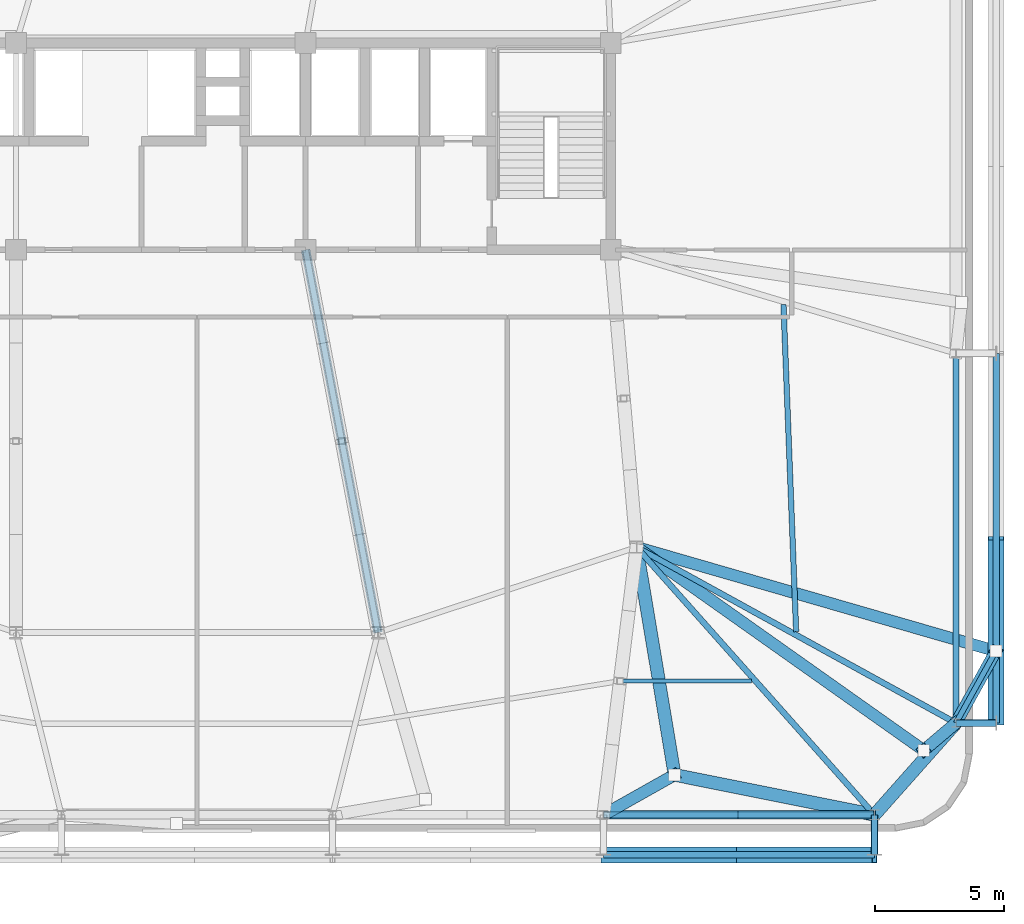
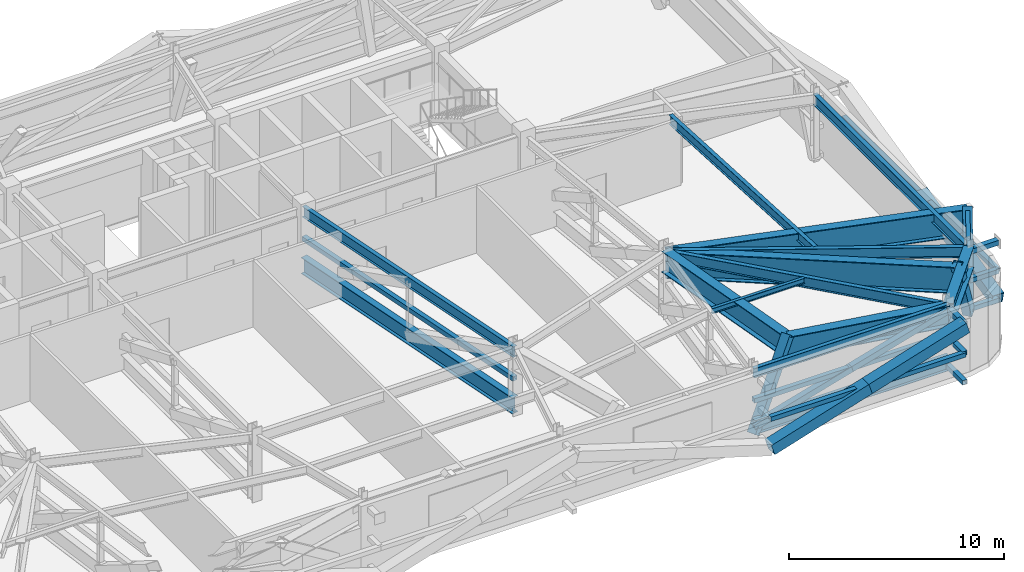
# One storey, part 9 of 24: 20 members, 13 beams.
"""IFC4 building model written with IfcOpenShell, lengths in metres."""

from ifc_helpers import new_model, si_unit, direction, frame, origin, origin_2d, place, context, subcontext, project, spatial, hollow_rectangle, i_section, extrude, source, transform, mapped, material, material_profile, profile_set, type_object, element, save


model = new_model("IFC4")

# Units and contexts
model_context = context("Model", 3, precision=1e-05, world=origin(), true_north=direction((0.0, 1.0)))
body_context = subcontext(model_context, "Body", "Model", "MODEL_VIEW")
ifc_project = project(units=[si_unit("LENGTHUNIT", "METRE"), si_unit("AREAUNIT", "SQUARE_METRE"), si_unit("VOLUMEUNIT", "CUBIC_METRE"), si_unit("PLANEANGLEUNIT", "RADIAN"), si_unit("MASSUNIT", "GRAM", prefix="KILO")], contexts=[model_context])

# Site, building, storey
site_placement = place(None, origin())
site = spatial("IfcSite", under=ifc_project, at=site_placement, CompositionType="ELEMENT")
building_placement = place(site_placement, origin())
building = spatial("IfcBuilding", under=site, at=building_placement, Name="Taldren Reach Tower", CompositionType="ELEMENT")
storey_placement = place(building_placement, frame((0.0, 0.0, 60.89990234375)))
storey = spatial("IfcBuildingStorey", under=building, at=storey_placement, Name="L18", CompositionType="ELEMENT", Elevation=60.89990234375)

# Beams
ifc_material_1 = material(Name="Steel Gr 350 (350PLUS)", Category="steel")
ifc_material_profile_1 = material_profile(ifc_material_1, i_section(OverallWidth=0.22802734375, OverallDepth=0.60205078125, WebThickness=0.010498046875, FlangeThickness=0.014892578125, at=origin_2d()), Name="610UB101")
ifc_profile_set_1 = profile_set([ifc_material_profile_1], Name="Steel Gr 350 (350PLUS)")
beam_type_1 = type_object("IfcBeamType", Name="BM-UB610B", PredefinedType="BEAM", material=ifc_profile_set_1)
shared_shape_1 = source(origin(), body_context, "Body", "SweptSolid", [
    extrude(i_section(OverallWidth=0.22802734375, OverallDepth=0.60205078125, WebThickness=0.010498046875, FlangeThickness=0.014892578125, at=origin_2d()), origin(), (0.0, 0.0, 1.0), 15.0625),
])
beam_1_placement = place(storey_placement, frame((39.199951171875, 24.0, 3.47900390625), z_axis=(0.185894205668, -0.982569765614, 0.0), x_axis=(0.982569765614, 0.185894205668, 0.0)))
element("IfcBeam", 1, at=beam_1_placement, inside=storey, type_object=beam_type_1, Name="Core-spine girder L18-SP15", PredefinedType="BEAM", context=body_context, shape_type="MappedRepresentation", body=[
    mapped(shared_shape_1, transform((0.0, 0.0, 0.0), scale=1.0)),
])
ifc_material_profile_2 = material_profile(ifc_material_1, i_section(OverallWidth=0.208984375, OverallDepth=0.528076171875, WebThickness=0.009521484375, FlangeThickness=0.01318359375, at=origin_2d()), Name="530UB82.0")
ifc_profile_set_2 = profile_set([ifc_material_profile_2], Name="Steel Gr 350 (350PLUS)")
beam_type_2 = type_object("IfcBeamType", Name="SP-UB530B", PredefinedType="SPANDREL", material=ifc_profile_set_2)
shared_shape_2 = source(origin(), body_context, "Body", "SweptSolid", [
    extrude(i_section(OverallWidth=0.208984375, OverallDepth=0.528076171875, WebThickness=0.009521484375, FlangeThickness=0.01318359375, at=origin_2d()), origin(), (0.0, 0.0, 1.0), 10.47998046875),
])
beam_2_placement = place(storey_placement, frame((50.719970703125, 2.14990234375, 3.51611328125), z_axis=(1.0, 0.0, 0.0), x_axis=(0.0, 1.0, 0.0)))
element("IfcBeam", 2, at=beam_2_placement, inside=storey, type_object=beam_type_2, Name="Perimeter spandrel B1 S5-S6 L18", PredefinedType="SPANDREL", context=body_context, shape_type="MappedRepresentation", body=[
    mapped(shared_shape_2, transform((0.0, 0.0, 0.0), scale=1.0)),
])
shared_shape_3 = source(origin(), body_context, "Body", "SweptSolid", [
    extrude(i_section(OverallWidth=0.22802734375, OverallDepth=0.60205078125, WebThickness=0.010498046875, FlangeThickness=0.014892578125, at=origin_2d()), origin(), (0.0, 0.0, 1.0), 14.300048828125),
])
beam_3_placement = place(storey_placement, frame((64.35009765625, 5.699951171875, 3.47900390625), z_axis=(0.0, 1.0, 0.0), x_axis=(-1.0, 0.0, 0.0)))
element("IfcBeam", 3, at=beam_3_placement, inside=storey, type_object=beam_type_1, Name="Perimeter gable girder B1 E1-E2 L18", PredefinedType="BEAM", context=body_context, shape_type="MappedRepresentation", body=[
    mapped(shared_shape_3, transform((0.0, 0.0, 0.0), scale=1.0)),
])
shared_shape_4 = source(origin(), body_context, "Body", "SweptSolid", [
    extrude(i_section(OverallWidth=0.22802734375, OverallDepth=0.60205078125, WebThickness=0.010498046875, FlangeThickness=0.014892578125, at=origin_2d()), origin(), (0.0, 0.0, 1.0), 13.847900390625),
])
beam_4_placement = place(storey_placement, frame((52.0, 12.5, 3.47900390625), z_axis=(0.664358367375, -0.747414182164, 0.0), x_axis=(0.747414182164, 0.664358367375, 0.0)))
element("IfcBeam", 4, at=beam_4_placement, inside=storey, type_object=beam_type_1, Name="Primary floor girder B1-S6 L18", PredefinedType="BEAM", context=body_context, shape_type="MappedRepresentation", body=[
    mapped(shared_shape_4, transform((0.0, 0.0, 0.0), scale=1.0)),
])
shared_shape_5 = source(origin(), body_context, "Body", "SweptSolid", [
    extrude(i_section(OverallWidth=0.22802734375, OverallDepth=0.60205078125, WebThickness=0.010498046875, FlangeThickness=0.014892578125, at=origin_2d()), origin(), (0.0, 0.0, 1.0), 14.098388671875),
])
beam_5_placement = place(storey_placement, frame((52.0, 12.5, 3.47900390625), z_axis=(0.875991325783, -0.482326857175, 0.0), x_axis=(0.482326857175, 0.875991325783, 0.0)))
element("IfcBeam", 5, at=beam_5_placement, inside=storey, type_object=beam_type_1, Name="Primary floor girder B1-E1 L18", PredefinedType="BEAM", context=body_context, shape_type="MappedRepresentation", body=[
    mapped(shared_shape_5, transform((0.0, 0.0, 0.0), scale=1.0)),
])
ifc_material_2 = material(Name="Steel Gr 300 (300PLUS, 300 MPa)", Category="steel")
ifc_material_profile_3 = material_profile(ifc_material_2, i_section(OverallWidth=0.166015625, OverallDepth=0.306884765625, WebThickness=0.006591796875, FlangeThickness=0.01171875, at=origin_2d()), Name="310UB46.2")
ifc_profile_set_3 = profile_set([ifc_material_profile_3], Name="Steel Gr 300 (300PLUS, 300 MPa)")
beam_type_3 = type_object("IfcBeamType", Name="JS-UB310", PredefinedType="JOIST", material=ifc_profile_set_3)
shared_shape_6 = source(origin(), body_context, "Body", "SweptSolid", [
    extrude(i_section(OverallWidth=0.166015625, OverallDepth=0.306884765625, WebThickness=0.006591796875, FlangeThickness=0.01171875, at=origin_2d()), origin(), (0.0, 0.0, 1.0), 4.982177734375),
])
beam_6_placement = place(storey_placement, frame((51.46533203125, 7.324951171875, 3.626708984375), z_axis=(1.0, 0.0, 0.0), x_axis=(0.0, 1.0, 0.0)))
element("IfcBeam", 6, at=beam_6_placement, inside=storey, type_object=beam_type_3, Name="Secondary floor joist B1 J5 L18", PredefinedType="JOIST", context=body_context, shape_type="MappedRepresentation", body=[
    mapped(shared_shape_6, transform((0.0, 0.0, 0.0), scale=1.0)),
])
ifc_material_profile_4 = material_profile(ifc_material_1, i_section(OverallWidth=0.208984375, OverallDepth=0.532958984375, WebThickness=0.01025390625, FlangeThickness=0.015625, at=origin_2d()), Name="530UB92.4")
ifc_profile_set_4 = profile_set([ifc_material_profile_4], Name="Steel Gr 350 (350PLUS)")
beam_type_4 = type_object("IfcBeamType", Name="BM-UB530A", PredefinedType="BEAM", material=ifc_profile_set_4)
shared_shape_7 = source(origin(), body_context, "Body", "SweptSolid", [
    extrude(i_section(OverallWidth=0.208984375, OverallDepth=0.532958984375, WebThickness=0.01025390625, FlangeThickness=0.015625, at=origin_2d()), origin(), (0.0, 0.0, 1.0), 12.65625),
])
beam_7_placement = place(storey_placement, frame((58.169921875, 9.23291015625, 3.513671875), z_axis=(-0.0387346395, 0.99924953225, 0.0), x_axis=(-0.99924953225, -0.0387346395, 0.0)))
element("IfcBeam", 7, at=beam_7_placement, inside=storey, type_object=beam_type_4, Name="Secondary floor beam B1 J7 L18", PredefinedType="BEAM", context=body_context, shape_type="MappedRepresentation", body=[
    mapped(shared_shape_7, transform((0.0, 0.0, 0.0), scale=1.0)),
])

# Members
ifc_material_3 = material(Name="Steel Gr 450 (C450L0)", Category="steel")
ifc_material_profile_5 = material_profile(ifc_material_3, hollow_rectangle(XDim=0.27490234375, YDim=0.27490234375, WallThickness=0.00927734375, at=origin_2d()), Name="275x275x9.3SHS")
ifc_profile_set_5 = profile_set([ifc_material_profile_5], Name="Steel Gr 450 (C450L0)")
member_type_1 = type_object("IfcMemberType", Name="MB-TIE273", PredefinedType="STRUT", material=ifc_profile_set_5)
shared_shape_8 = source(origin(), body_context, "Body", "SweptSolid", [
    extrude(hollow_rectangle(XDim=0.27490234375, YDim=0.27490234375, WallThickness=0.00927734375, at=origin_2d()), origin(), (0.0, 0.0, 1.0), 1.5498046875),
])
for number, where, z_axis, x_axis, name in (
    (8, (61.199951171875, 2.14990234375, 3.5), (0.0, -1.0, 0.0), (1.0, 0.0, 0.0), "Exoskeleton diaphragm tie strut B1-S6 L18"),
    (9, (64.35009765625, 5.699951171875, 3.5), (1.0, 0.0, 0.0), (0.0, 1.0, 0.0), "Exoskeleton diaphragm tie strut B1-E1 L18"),
):
    element("IfcMember", number, at=place(storey_placement, frame(where, z_axis=z_axis, x_axis=x_axis)), inside=storey, type_object=member_type_1, Name=name, PredefinedType="STRUT", context=body_context, shape_type="MappedRepresentation", body=[
        mapped(shared_shape_8, transform((0.0, 0.0, 0.0), scale=1.0)),
    ])
ifc_material_4 = material(Name="Steel Gr 350 (C350L0)", Category="steel")
ifc_material_profile_6 = material_profile(ifc_material_4, hollow_rectangle(XDim=0.25, YDim=0.25, WallThickness=0.010009765625, at=origin_2d()), Name="250x250x10.0SHS")
ifc_profile_set_6 = profile_set([ifc_material_profile_6], Name="Steel Gr 350 (C350L0)")
member_type_2 = type_object("IfcMemberType", Name="MB-POST250", PredefinedType="POST", material=ifc_profile_set_6)
shared_shape_9 = source(origin(), body_context, "Body", "SweptSolid", [
    extrude(hollow_rectangle(XDim=0.25, YDim=0.25, WallThickness=0.010009765625, at=origin_2d()), origin(), (0.0, 0.0, 1.0), 10.47998046875),
])
for number, where, z_axis, x_axis, name in (
    (10, (50.719970703125, 2.14990234375, 1.955078125), (1.0, 0.0, 0.0), (0.0, 1.0, 0.0), "Belt Truss Transfer Mid Chord S5 L18"),
    (11, (50.719970703125, 0.60009765625, 1.860107421875), (1.0, 0.0, 0.0), (0.0, 1.0, 0.0), "Exoskeleton mid-height ring chord B1-S5 L18"),
):
    element("IfcMember", number, at=place(storey_placement, frame(where, z_axis=z_axis, x_axis=x_axis)), inside=storey, type_object=member_type_2, Name=name, PredefinedType="POST", context=body_context, shape_type="MappedRepresentation", body=[
        mapped(shared_shape_9, transform((0.0, 0.0, 0.0), scale=1.0)),
    ])
shared_shape_10 = source(origin(), body_context, "Body", "SweptSolid", [
    extrude(hollow_rectangle(XDim=0.25, YDim=0.25, WallThickness=0.010009765625, at=origin_2d()), origin(), (0.0, 0.0, 1.0), 1.5498046875),
])
for number, where, z_axis, x_axis, name in (
    (12, (61.199951171875, 2.14990234375, 0.22021484375), (0.0, -1.0, 0.0), (1.0, 0.0, 0.0), "Exoskeleton base diaphragm tie strut B1-S6 L18"),
    (13, (64.35009765625, 5.699951171875, 0.22021484375), (1.0, 0.0, 0.0), (0.0, 1.0, 0.0), "Exoskeleton base diaphragm tie strut B1-E1 L18"),
    (14, (61.199951171875, 2.14990234375, 1.860107421875), (0.0, -1.0, 0.0), (1.0, 0.0, 0.0), "Exoskeleton mid-tier diaphragm tie B1-S6 L18"),
    (15, (64.35009765625, 5.699951171875, 1.860107421875), (1.0, 0.0, 0.0), (0.0, 1.0, 0.0), "Exoskeleton mid-tier diaphragm tie B1-E1 L18"),
):
    element("IfcMember", number, at=place(storey_placement, frame(where, z_axis=z_axis, x_axis=x_axis)), inside=storey, type_object=member_type_2, Name=name, PredefinedType="POST", context=body_context, shape_type="MappedRepresentation", body=[
        mapped(shared_shape_10, transform((0.0, 0.0, 0.0), scale=1.0)),
    ])
shared_shape_11 = source(origin(), body_context, "Body", "SweptSolid", [
    extrude(hollow_rectangle(XDim=0.25, YDim=0.25, WallThickness=0.010009765625, at=origin_2d()), origin(), (0.0, 0.0, 1.0), 14.300048828125),
])
member_1_placement = place(storey_placement, frame((65.89990234375, 5.699951171875, 1.860107421875), z_axis=(0.0, 1.0, 0.0), x_axis=(-1.0, 0.0, 0.0)))
element("IfcMember", 16, at=member_1_placement, inside=storey, type_object=member_type_2, Name="Exoskeleton mid-height ring chord B1-E1 L18", PredefinedType="POST", context=body_context, shape_type="MappedRepresentation", body=[
    mapped(shared_shape_11, transform((0.0, 0.0, 0.0), scale=1.0)),
])

# Beam
ifc_material_profile_7 = material_profile(ifc_material_1, i_section(OverallWidth=0.5, OverallDepth=1.199951171875, WebThickness=0.01611328125, FlangeThickness=0.0400390625, at=origin_2d()), Name="1200WB455")
ifc_profile_set_7 = profile_set([ifc_material_profile_7], Name="Steel Gr 350 (350PLUS)")
beam_type_5 = type_object("IfcBeamType", Name="BM-WB1200", PredefinedType="BEAM", material=ifc_profile_set_7)
shared_shape_12 = source(origin(), body_context, "Body", "SweptSolid", [
    extrude(i_section(OverallWidth=0.5, OverallDepth=1.199951171875, WebThickness=0.01611328125, FlangeThickness=0.0400390625, at=origin_2d()), origin(), (0.0, 0.0, 1.0), 4.74609375),
])
beam_8_placement = place(storey_placement, frame((61.199951171875, 2.14990234375, 3.18017578125), z_axis=(0.663721843779, 0.747979487747, 0.0), x_axis=(-0.747979487747, 0.663721843779, 0.0)))
element("IfcBeam", 17, at=beam_8_placement, inside=storey, type_object=beam_type_5, Name="Belt Truss Transfer Tie Girder TG-B2-E1B on L18", PredefinedType="SPANDREL", context=body_context, shape_type="MappedRepresentation", body=[
    mapped(shared_shape_12, transform((0.0, 0.0, 0.0), scale=1.0)),
])

# Member
ifc_material_profile_8 = material_profile(ifc_material_3, hollow_rectangle(XDim=0.4599609375, YDim=0.4599609375, WallThickness=0.01611328125, at=origin_2d()), Name="460x460x16.0SHS")
ifc_profile_set_8 = profile_set([ifc_material_profile_8], Name="Steel Gr 450 (C450L0)")
member_type_3 = type_object("IfcMemberType", Name="MB-EXO457", PredefinedType="BRACE", material=ifc_profile_set_8)
shared_shape_13 = source(origin(), body_context, "Body", "SweptSolid", [
    extrude(hollow_rectangle(XDim=0.4599609375, YDim=0.4599609375, WallThickness=0.01611328125, at=origin_2d()), origin(), (0.0, 0.0, 1.0), 4.90869140625),
])
member_2_placement = place(storey_placement, frame((50.719970703125, 2.14990234375, 0.02001953125), z_axis=(0.560127245704, 0.315475681007, 0.765984701749), x_axis=(-0.490738683248, 0.871306802891, 0.0)))
element("IfcMember", 18, at=member_2_placement, inside=storey, type_object=member_type_3, Name="Outrigger Belt Truss Transfer Strut TS-B2-S5 L18", PredefinedType="BRACE", context=body_context, shape_type="MappedRepresentation", body=[
    mapped(shared_shape_13, transform((0.0, 0.0, 0.0), scale=1.0)),
])

# Beams
shared_shape_14 = source(origin(), body_context, "Body", "SweptSolid", [
    extrude(i_section(OverallWidth=0.5, OverallDepth=1.199951171875, WebThickness=0.01611328125, FlangeThickness=0.0400390625, at=origin_2d()), origin(), (0.0, 0.0, 1.0), 8.92333984375),
])
beam_9_placement = place(storey_placement, frame((52.0, 12.5, 3.18017578125), z_axis=(0.164678494096, -0.986347298664, 0.0), x_axis=(0.986347298664, 0.164678494096, 0.0)))
element("IfcBeam", 19, at=beam_9_placement, inside=storey, type_object=beam_type_5, Name="Belt Truss Transfer Girder TG-B2-S5A on L18", PredefinedType="BEAM", context=body_context, shape_type="MappedRepresentation", body=[
    mapped(shared_shape_14, transform((0.0, 0.0, 0.0), scale=1.0)),
])
shared_shape_15 = source(origin(), body_context, "Body", "SweptSolid", [
    extrude(i_section(OverallWidth=0.5, OverallDepth=1.199951171875, WebThickness=0.01611328125, FlangeThickness=0.0400390625, at=origin_2d()), origin(), (0.0, 0.0, 1.0), 7.884033203125),
])
beam_10_placement = place(storey_placement, frame((61.199951171875, 2.14990234375, 3.18017578125), z_axis=(-0.980519886886, 0.196419834592, 0.0), x_axis=(-0.196419834592, -0.980519886886, 0.0)))
element("IfcBeam", 20, at=beam_10_placement, inside=storey, type_object=beam_type_5, Name="Belt Truss Transfer Tie Girder TG-B2-S5B on L18", PredefinedType="BEAM", context=body_context, shape_type="MappedRepresentation", body=[
    mapped(shared_shape_15, transform((0.0, 0.0, 0.0), scale=1.0)),
])

# Member
shared_shape_16 = source(origin(), body_context, "Body", "SweptSolid", [
    extrude(hollow_rectangle(XDim=0.4599609375, YDim=0.4599609375, WallThickness=0.01611328125, at=origin_2d()), origin(), (0.0, 0.0, 1.0), 4.099853515625),
])
member_3_placement = place(storey_placement, frame((64.35009765625, 5.699951171875, 0.02001953125), z_axis=(-0.304110689249, -0.257782489477, 0.917095892916), x_axis=(0.646611571094, -0.762819425636, 0.0)))
element("IfcMember", 21, at=member_3_placement, inside=storey, type_object=member_type_3, Name="Outrigger Belt Truss Transfer Strut TS-B2-S6 L18", PredefinedType="BRACE", context=body_context, shape_type="MappedRepresentation", body=[
    mapped(shared_shape_16, transform((0.0, 0.0, 0.0), scale=1.0)),
])

# Beam
ifc_material_profile_9 = material_profile(ifc_material_1, i_section(OverallWidth=0.449951171875, OverallDepth=1.5, WebThickness=0.02001953125, FlangeThickness=0.0439453125, at=origin_2d()), Name="1500WB550")
ifc_profile_set_9 = profile_set([ifc_material_profile_9], Name="Steel Gr 350 (350PLUS)")
beam_type_6 = type_object("IfcBeamType", Name="BM-PG1500", PredefinedType="BEAM", material=ifc_profile_set_9)
shared_shape_17 = source(origin(), body_context, "Body", "SweptSolid", [
    extrude(i_section(OverallWidth=0.449951171875, OverallDepth=1.5, WebThickness=0.02001953125, FlangeThickness=0.0439453125, at=origin_2d()), origin(), (0.0, 0.0, 1.0), 13.60205078125),
])
beam_11_placement = place(storey_placement, frame((52.0, 12.5, 3.030029296875), z_axis=(0.816297773281, -0.577631323022, 0.0), x_axis=(0.577631323022, 0.816297773281, 0.0)))
element("IfcBeam", 22, at=beam_11_placement, inside=storey, type_object=beam_type_6, Name="Belt Truss Transfer Girder TG-B2-S6A on L18", PredefinedType="BEAM", context=body_context, shape_type="MappedRepresentation", body=[
    mapped(shared_shape_17, transform((0.0, 0.0, 0.0), scale=1.0)),
])

# Member
shared_shape_18 = source(origin(), body_context, "Body", "SweptSolid", [
    extrude(hollow_rectangle(XDim=0.4599609375, YDim=0.4599609375, WallThickness=0.01611328125, at=origin_2d()), origin(), (0.0, 0.0, 1.0), 4.92578125),
])
member_4_placement = place(storey_placement, frame((64.35009765625, 5.699951171875, 0.02001953125), z_axis=(0.31294914008, 0.565132419258, 0.763340149885), x_axis=(-0.8748223724, 0.484443822078, 0.0)))
element("IfcMember", 23, at=member_4_placement, inside=storey, type_object=member_type_3, Name="Outrigger Belt Truss Transfer Strut TS-B2-E1 L18", PredefinedType="BRACE", context=body_context, shape_type="MappedRepresentation", body=[
    mapped(shared_shape_18, transform((0.0, 0.0, 0.0), scale=1.0)),
])

# Beams
shared_shape_19 = source(origin(), body_context, "Body", "SweptSolid", [
    extrude(i_section(OverallWidth=0.449951171875, OverallDepth=1.5, WebThickness=0.02001953125, FlangeThickness=0.0439453125, at=origin_2d()), origin(), (0.0, 0.0, 1.0), 14.46044921875),
])
beam_12_placement = place(storey_placement, frame((52.0, 12.5, 3.030029296875), z_axis=(0.960654638583, -0.277745684698, 0.0), x_axis=(0.277745684698, 0.960654638583, 0.0)))
element("IfcBeam", 24, at=beam_12_placement, inside=storey, type_object=beam_type_6, Name="Belt Truss Transfer Girder TG-B2-E1A on L18", PredefinedType="BEAM", context=body_context, shape_type="MappedRepresentation", body=[
    mapped(shared_shape_19, transform((0.0, 0.0, 0.0), scale=1.0)),
])
shared_shape_20 = source(origin(), body_context, "Body", "SweptSolid", [
    extrude(i_section(OverallWidth=0.208984375, OverallDepth=0.532958984375, WebThickness=0.01025390625, FlangeThickness=0.015625, at=origin_2d()), origin(), (0.0, 0.0, 1.0), 3.18212890625),
])
beam_13_placement = place(storey_placement, frame((64.35009765625, 5.699951171875, 3.513671875), z_axis=(0.484443822078, 0.8748223724, 0.0), x_axis=(-0.8748223724, 0.484443822078, 0.0)))
element("IfcBeam", 25, at=beam_13_placement, inside=storey, type_object=beam_type_4, Name="Belt Truss Transfer Edge Tie Girder TG-B2-E1R on L18", PredefinedType="BEAM", context=body_context, shape_type="MappedRepresentation", body=[
    mapped(shared_shape_20, transform((0.0, 0.0, 0.0), scale=1.0)),
])

# Members
ifc_material_profile_10 = material_profile(ifc_material_1, i_section(OverallWidth=0.35009765625, OverallDepth=0.916015625, WebThickness=0.013916015625, FlangeThickness=0.028076171875, at=origin_2d()), Name="900WB257")
ifc_profile_set_10 = profile_set([ifc_material_profile_10], Name="Steel Gr 350 (350PLUS)")
member_type_4 = type_object("IfcMemberType", Name="MB-CH900", PredefinedType="CHORD", material=ifc_profile_set_10)
shared_shape_21 = source(origin(), body_context, "Body", "SweptSolid", [
    extrude(i_section(OverallWidth=0.35009765625, OverallDepth=0.916015625, WebThickness=0.013916015625, FlangeThickness=0.028076171875, at=origin_2d()), origin(), (0.0, 0.0, 1.0), 15.0625),
])
member_5_placement = place(storey_placement, frame((39.199951171875, 24.0, 0.4501953125), z_axis=(0.185894205668, -0.982569765614, 0.0), x_axis=(0.982569765614, 0.185894205668, 0.0)))
element("IfcMember", 26, at=member_5_placement, inside=storey, type_object=member_type_4, Name="Outrigger Transfer Truss Bottom Chord OT-M2 L18", PredefinedType="CHORD", context=body_context, shape_type="MappedRepresentation", body=[
    mapped(shared_shape_21, transform((0.0, 0.0, 0.0), scale=1.0)),
])
shared_shape_22 = source(origin(), body_context, "Body", "SweptSolid", [
    extrude(hollow_rectangle(XDim=0.25, YDim=0.25, WallThickness=0.010009765625, at=origin_2d()), origin(), (0.0, 0.0, 1.0), 15.0625),
])
member_6_placement = place(storey_placement, frame((39.199951171875, 24.0, 1.955078125), z_axis=(0.185894205668, -0.982569765614, 0.0), x_axis=(0.982569765614, 0.185894205668, 0.0)))
element("IfcMember", 27, at=member_6_placement, inside=storey, type_object=member_type_2, Name="Outrigger Transfer Truss Mid Chord OT-M2 L18", PredefinedType="POST", context=body_context, shape_type="MappedRepresentation", body=[
    mapped(shared_shape_22, transform((0.0, 0.0, 0.0), scale=1.0)),
])
ifc_material_profile_11 = material_profile(ifc_material_1, i_section(OverallWidth=0.300048828125, OverallDepth=0.81591796875, WebThickness=0.011962890625, FlangeThickness=0.02392578125, at=origin_2d()), Name="800WB192")
ifc_profile_set_11 = profile_set([ifc_material_profile_11], Name="Steel Gr 350 (350PLUS)")
member_type_5 = type_object("IfcMemberType", Name="MB-CH800", PredefinedType="CHORD", material=ifc_profile_set_11)
shared_shape_23 = source(origin(), body_context, "Body", "SweptSolid", [
    extrude(i_section(OverallWidth=0.300048828125, OverallDepth=0.81591796875, WebThickness=0.011962890625, FlangeThickness=0.02392578125, at=origin_2d()), origin(), (0.0, 0.0, 1.0), 10.47998046875),
])
member_7_placement = place(storey_placement, frame((50.719970703125, 2.14990234375, 0.4501953125), z_axis=(1.0, 0.0, 0.0), x_axis=(0.0, 1.0, 0.0)))
element("IfcMember", 28, at=member_7_placement, inside=storey, type_object=member_type_5, Name="Belt Truss Transfer Bottom Chord S5 L18", PredefinedType="CHORD", context=body_context, shape_type="MappedRepresentation", body=[
    mapped(shared_shape_23, transform((0.0, 0.0, 0.0), scale=1.0)),
])
ifc_material_profile_12 = material_profile(ifc_material_3, hollow_rectangle(XDim=0.324951171875, YDim=0.324951171875, WallThickness=0.0126953125, at=origin_2d()), Name="325x325x12.7SHS")
ifc_profile_set_12 = profile_set([ifc_material_profile_12], Name="Steel Gr 450 (C450L0)")
member_type_6 = type_object("IfcMemberType", Name="MB-BR324", PredefinedType="BRACE", material=ifc_profile_set_12)
shared_shape_24 = source(origin(), body_context, "Body", "SweptSolid", [
    extrude(hollow_rectangle(XDim=0.324951171875, YDim=0.324951171875, WallThickness=0.0126953125, at=origin_2d()), origin(), (0.0, 0.0, 1.0), 5.451904296875),
])
for number, where, z_axis, x_axis, name in (
    (29, (50.719970703125, 2.14990234375, 0.4501953125), (0.96114789944, 0.0, 0.27603390263), (0.0, 1.0, 0.0), "Belt Truss Transfer Diagonal S5 L18"),
    (30, (55.9599609375, 2.14990234375, 1.955078125), (0.961136017712, 0.0, 0.27607527136), (0.0, 1.0, 0.0), "Belt Truss Transfer Diagonal S5 L18"),
):
    element("IfcMember", number, at=place(storey_placement, frame(where, z_axis=z_axis, x_axis=x_axis)), inside=storey, type_object=member_type_6, Name=name, PredefinedType="BRACE", context=body_context, shape_type="MappedRepresentation", body=[
        mapped(shared_shape_24, transform((0.0, 0.0, 0.0), scale=1.0)),
    ])
ifc_material_profile_13 = material_profile(ifc_material_3, hollow_rectangle(XDim=0.614990234375, YDim=0.614990234375, WallThickness=0.02490234375, at=origin_2d()), Name="615x615x25.0SHS")
ifc_profile_set_13 = profile_set([ifc_material_profile_13], Name="Steel Gr 450 (C450L0)")
member_type_7 = type_object("IfcMemberType", Name="MB-EXO610", PredefinedType="BRACE", material=ifc_profile_set_13)
shared_shape_25 = source(origin(), body_context, "Body", "SweptSolid", [
    extrude(hollow_rectangle(XDim=0.614990234375, YDim=0.614990234375, WallThickness=0.02490234375, at=origin_2d()), origin(), (0.0, 0.0, 1.0), 5.49072265625),
])
for number, where, z_axis, x_axis, name in (
    (31, (50.719970703125, 0.60009765625, 0.22021484375), (0.954355677655, 0.0, 0.298672463626), (0.0, 1.0, 0.0), "Exoskeleton Diagrid Brace B1-S5 L18"),
    (32, (55.9599609375, 0.60009765625, 1.860107421875), (0.954355677655, 0.0, 0.298672463626), (0.0, 1.0, 0.0), "Exoskeleton Diagrid Brace B1-S5 L18"),
):
    element("IfcMember", number, at=place(storey_placement, frame(where, z_axis=z_axis, x_axis=x_axis)), inside=storey, type_object=member_type_7, Name=name, PredefinedType="BRACE", context=body_context, shape_type="MappedRepresentation", body=[
        mapped(shared_shape_25, transform((0.0, 0.0, 0.0), scale=1.0)),
    ])
shared_shape_26 = source(origin(), body_context, "Body", "SweptSolid", [
    extrude(hollow_rectangle(XDim=0.614990234375, YDim=0.614990234375, WallThickness=0.02490234375, at=origin_2d()), origin(), (0.0, 0.0, 1.0), 7.335693359375),
])
member_8_placement = place(storey_placement, frame((65.89990234375, 5.699951171875, 0.22021484375), z_axis=(0.0, 0.974693203866, 0.22354676991), x_axis=(-1.0, 0.0, 0.0)))
element("IfcMember", 33, at=member_8_placement, inside=storey, type_object=member_type_7, Name="Exoskeleton Diagrid Brace B1-E1 L18", PredefinedType="BRACE", context=body_context, shape_type="MappedRepresentation", body=[
    mapped(shared_shape_26, transform((0.0, 0.0, 0.0), scale=1.0)),
])

save(model, "model.ifc")
